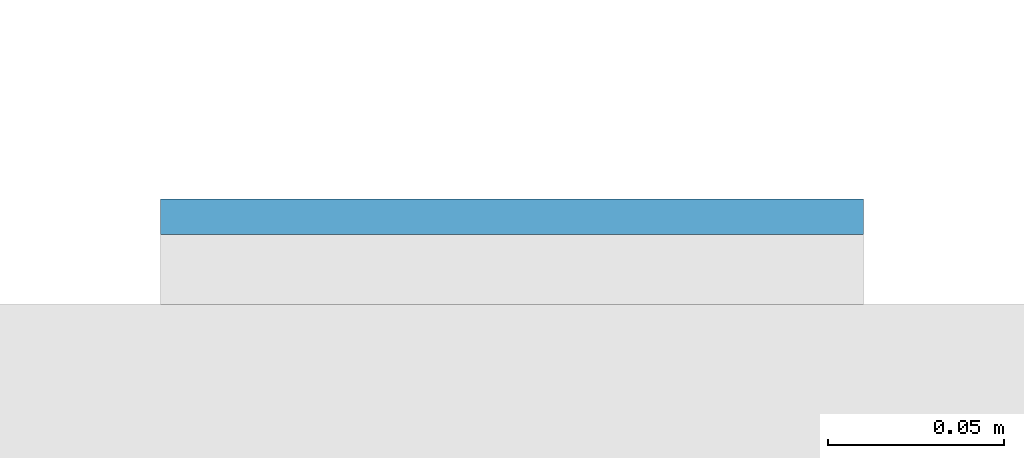
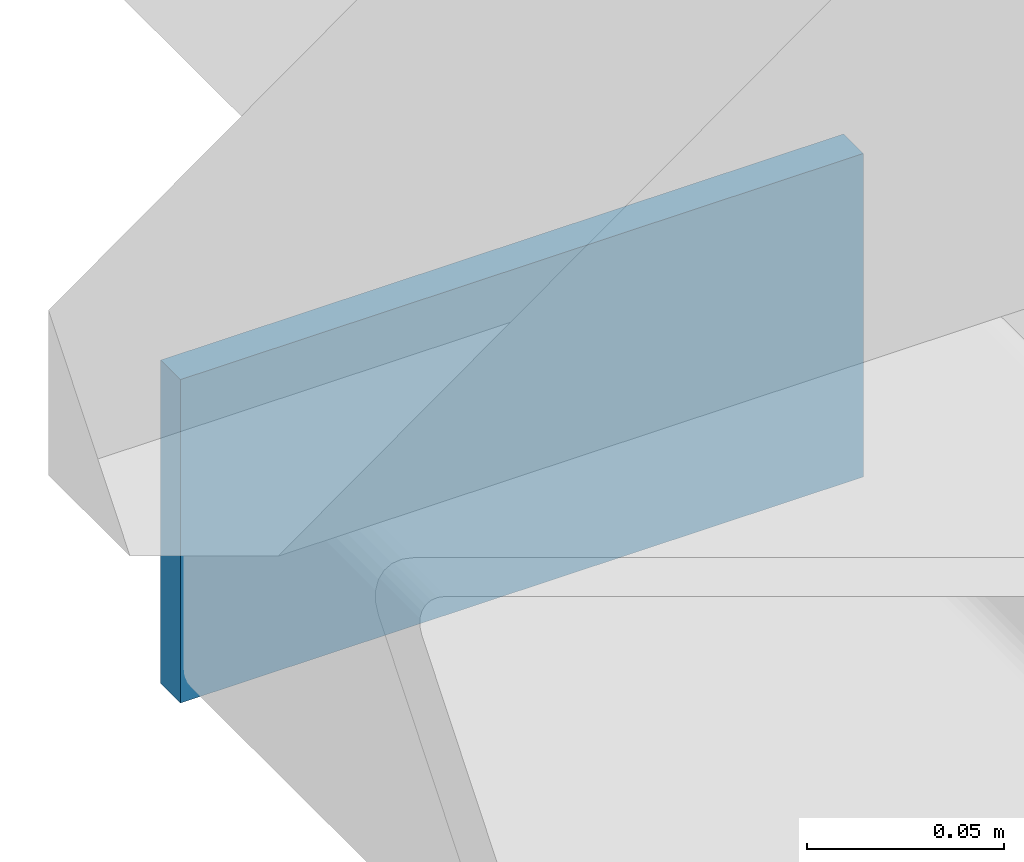
# One storey, part 9 of 20: 1 plate.
"""IFC4 building model written with IfcOpenShell, lengths in metres."""

from ifc_helpers import new_model, si_unit, direction, frame, origin, origin_2d, place, context, subcontext, project, spatial, rectangle, extrude, material, layer, layer_set, type_object, element, save


model = new_model("IFC4")

# Units and contexts
model_context = context("Model", 3, precision=1e-05, world=origin(), true_north=direction((0.0, 1.0)))
body_context = subcontext(model_context, "Body", "Model", "MODEL_VIEW")
ifc_project = project(units=[si_unit("LENGTHUNIT", "METRE"), si_unit("AREAUNIT", "SQUARE_METRE"), si_unit("VOLUMEUNIT", "CUBIC_METRE"), si_unit("PLANEANGLEUNIT", "RADIAN"), si_unit("MASSUNIT", "GRAM", prefix="KILO")], contexts=[model_context])

# Site, building, storey
site_placement = place(None, origin())
site = spatial("IfcSite", under=ifc_project, at=site_placement, CompositionType="ELEMENT")
building_placement = place(site_placement, origin())
building = spatial("IfcBuilding", under=site, at=building_placement, Name="Cleftline Residences", CompositionType="ELEMENT")
storey_placement = place(building_placement, frame((0.0, 0.0, 153.800048828125)))
storey = spatial("IfcBuildingStorey", under=building, at=storey_placement, Name="L40", CompositionType="ELEMENT", Elevation=153.800048828125)

# Plate
ifc_material = material(Name="Steel S355, hot-dip galvanised", Category="steel")
ifc_layer = layer(ifc_material, 0.010009765625)
ifc_layer_set = layer_set([ifc_layer], Name="BAGUETTE CARRIER END PLATE 200X100X10")
plate_type = type_object("IfcPlateType", Name="BAGUETTE CARRIER END PLATE 200X100X10", PredefinedType="USERDEFINED", material=ifc_layer_set)
plate_placement = place(storey_placement, frame((-0.85009765625, 44.304931640625, -0.10009765625), z_axis=(0.0, 0.0, 1.0), x_axis=(-1.0, 0.0, 0.0)))
element("IfcPlate", 1, at=plate_placement, inside=storey, type_object=plate_type, Name="Baguette carrier end plate", ObjectType="BAGUETTE CARRIER END PLATE", PredefinedType="USERDEFINED", context=body_context, shape_type="SweptSolid", body=[
    extrude(rectangle(XDim=0.199951171875, YDim=0.010009765625, at=origin_2d()), origin(), (0.0, 0.0, 1.0), 0.10009765625),
])

save(model, "model.ifc")
